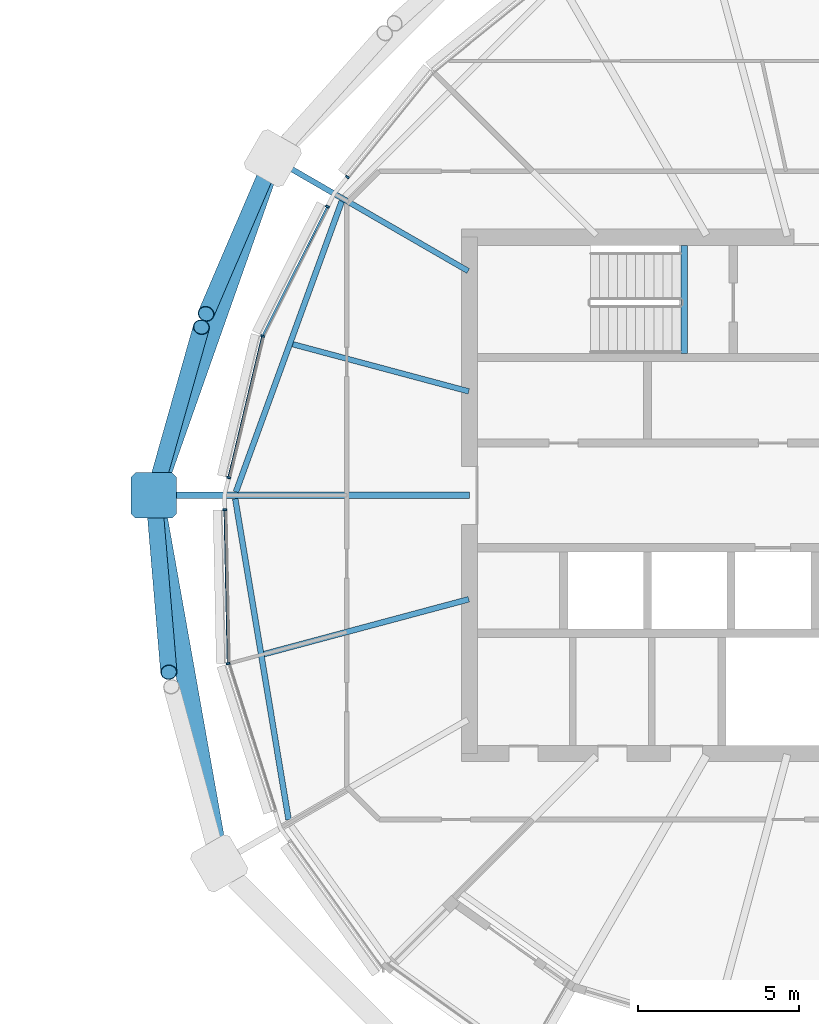
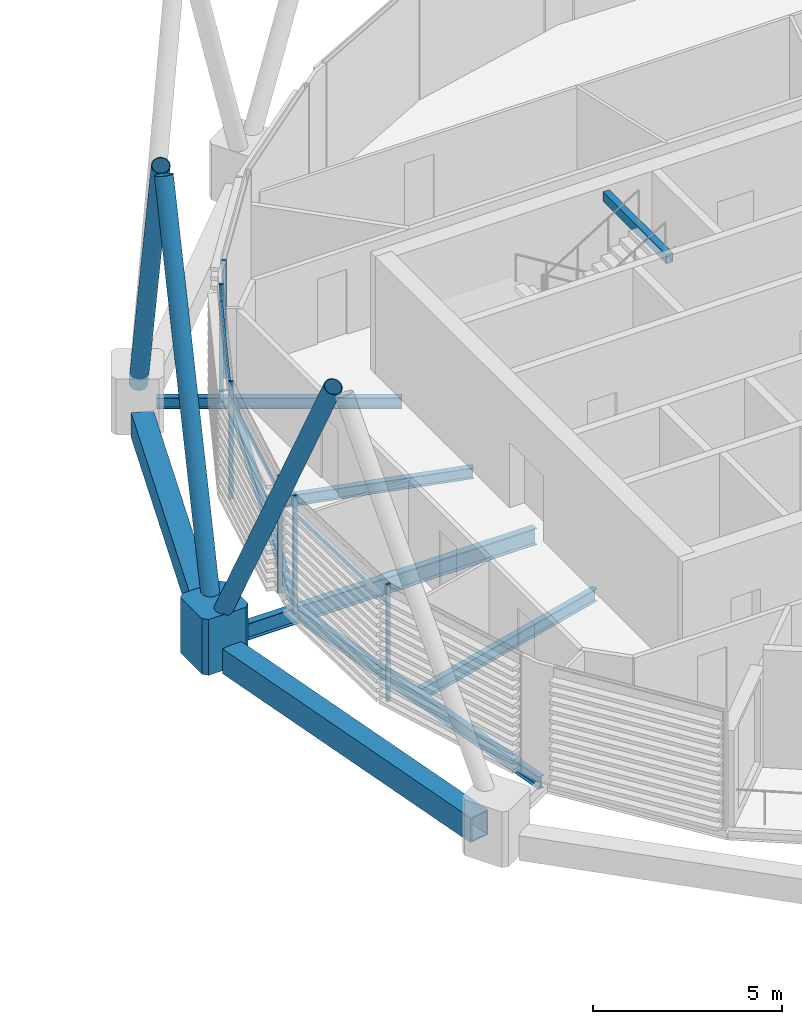
# One storey, part 13 of 34: 13 members, 9 beams, 1 element without a shape of its own.
"""IFC4 building model written with IfcOpenShell, lengths in metres."""

import ifcopenshell
import ifcopenshell.guid

model = None  # the IFC model being written
_history = None  # IfcOwnerHistory: only IFC2X3 demands one
_inside = {}  # id of a spatial element -> (the spatial element, [elements in it])
_under = {}  # id of a project, library or spatial element -> (it, [spatial elements below it])
_declared = {}  # id of a project -> (the project, [libraries it declares])
_typed = {}  # id of a type object -> (the type object, [elements of that type])
_made_of = {}  # id of a material, layer set ... -> (it, [elements and type objects made of it])


def new_model(schema):
    """Start an empty IFC model of exactly this schema.

    Asked for "IFC4X3", IfcOpenShell would pick the latest addendum, in which some entities
    have other attributes; the version numbers below select the first issue.
    IFC2X3 requires an IfcOwnerHistory on every rooted entity: one is made here for all.
    """
    global model, _history
    if schema == "IFC4X3":
        model = ifcopenshell.file(schema_version=(4, 3, 0, 0))
    else:
        model = ifcopenshell.file(schema=schema)
    _inside.clear()
    _under.clear()
    _declared.clear()
    _typed.clear()
    _made_of.clear()
    _history = None
    if model.schema == "IFC2X3":
        org = make("IfcOrganization", Name="unknown")
        user = make(
            "IfcPersonAndOrganization",
            ThePerson=make("IfcPerson", FamilyName="unknown"),
            TheOrganization=org,
        )
        app = make(
            "IfcApplication",
            ApplicationDeveloper=org,
            Version="unknown",
            ApplicationFullName="unknown",
            ApplicationIdentifier="unknown",
        )
        _history = make(
            "IfcOwnerHistory",
            OwningUser=user,
            OwningApplication=app,
            ChangeAction="ADDED",
            CreationDate=0,
        )
    return model


def make(cls, **values):
    """One entity of the class cls with the attributes given. An attribute that is None is left unset."""
    return model.create_entity(
        cls, **{name: value for name, value in values.items() if value is not None}
    )


def rooted(cls, **values):
    """An entity with a GlobalId (a new one), such as an element, a storey or a relation."""
    return make(cls, GlobalId=ifcopenshell.guid.new(), OwnerHistory=_history, **values)


def si_unit(unit_type, name, prefix=None):
    """IfcSIUnit, for example si_unit("LENGTHUNIT", "METRE", prefix="MILLI")."""
    return make("IfcSIUnit", UnitType=unit_type, Prefix=prefix, Name=name)


def assignment(units):
    """IfcUnitAssignment: the units of a project."""
    return None if units is None else make("IfcUnitAssignment", Units=units)


def point(xyz):
    """IfcCartesianPoint."""
    return None if xyz is None else make("IfcCartesianPoint", Coordinates=xyz)


def direction(xyz):
    """IfcDirection."""
    return None if xyz is None else make("IfcDirection", DirectionRatios=xyz)


def frame(location, z_axis=None, x_axis=None):
    """IfcAxis2Placement3D, a coordinate frame: its origin and axes. An axis left out is left unset."""
    return make(
        "IfcAxis2Placement3D",
        Location=point(location),
        Axis=direction(z_axis),
        RefDirection=direction(x_axis),
    )


def frame_2d(location, x_axis=None):
    """IfcAxis2Placement2D, a coordinate frame in the plane: its origin and x axis."""
    return make(
        "IfcAxis2Placement2D", Location=point(location), RefDirection=direction(x_axis)
    )


def origin():
    """The frame at (0, 0, 0) with its axes left unset."""
    return frame((0.0, 0.0, 0.0))


def origin_2d():
    """The frame at (0, 0) in the plane with its x axis left unset."""
    return frame_2d((0.0, 0.0))


def place(relative_to, where):
    """IfcLocalPlacement: puts the frame where relative to a parent placement (None: the world)."""
    return make(
        "IfcLocalPlacement", PlacementRelTo=relative_to, RelativePlacement=where
    )


def context(
    kind, dimensions, precision=None, world=None, true_north=None, identifier=None
):
    """IfcGeometricRepresentationContext, for example the 3D "Model" context."""
    return make(
        "IfcGeometricRepresentationContext",
        ContextIdentifier=identifier,
        ContextType=kind,
        CoordinateSpaceDimension=dimensions,
        Precision=precision,
        WorldCoordinateSystem=world,
        TrueNorth=true_north,
    )


def subcontext(parent, identifier, kind, view, scale=None):
    """IfcGeometricRepresentationSubContext, for example "Body" below "Model"."""
    return make(
        "IfcGeometricRepresentationSubContext",
        ContextIdentifier=identifier,
        ContextType=kind,
        ParentContext=parent,
        TargetScale=scale,
        TargetView=view,
    )


def project(units=None, contexts=None):
    """IfcProject with its units and contexts."""
    return rooted(
        "IfcProject",
        Name="project",
        RepresentationContexts=contexts,
        UnitsInContext=assignment(units),
    )


def spatial(cls, under=None, at=None, **own):
    """A site, building, storey or space (cls), placed at a placement, below another one or the project."""
    s = rooted(cls, ObjectPlacement=at, **own)
    if under is not None:
        _under.setdefault(under.id(), (under, []))[1].append(s)
    return s


def polyline(points):
    """IfcPolyline through the points."""
    return make("IfcPolyline", Points=[point(p) for p in points])


def profile(cls, at=None, kind="AREA", **sizes):
    """A parametric profile (cls). Its sizes go by their IFC names, for example OverallWidth=200.0."""
    return make(cls, ProfileType=kind, Position=at, **sizes)


def rectangle(**sizes):
    """IfcRectangleProfileDef."""
    return profile("IfcRectangleProfileDef", **sizes)


def hollow_rectangle(**sizes):
    """IfcRectangleHollowProfileDef."""
    return profile("IfcRectangleHollowProfileDef", **sizes)


def hollow_circle(**sizes):
    """IfcCircleHollowProfileDef."""
    return profile("IfcCircleHollowProfileDef", **sizes)


def i_section(**sizes):
    """IfcIShapeProfileDef."""
    return profile("IfcIShapeProfileDef", **sizes)


def outline(outer, holes=None, kind="AREA"):
    """IfcArbitraryClosedProfileDef: a profile drawn as a closed curve; with holes, ...WithVoids."""
    if holes is None:
        return make("IfcArbitraryClosedProfileDef", ProfileType=kind, OuterCurve=outer)
    return make(
        "IfcArbitraryProfileDefWithVoids",
        ProfileType=kind,
        OuterCurve=outer,
        InnerCurves=holes,
    )


def extrude(swept, where, along, depth):
    """IfcExtrudedAreaSolid: the profile swept, set in the frame where, extruded along a direction by depth."""
    return make(
        "IfcExtrudedAreaSolid",
        SweptArea=swept,
        Position=where,
        ExtrudedDirection=direction(along),
        Depth=depth,
    )


def shape(context_of_items, identifier, shape_type, items):
    """IfcShapeRepresentation: the items that make up one representation, for example the "Body"."""
    return make(
        "IfcShapeRepresentation",
        ContextOfItems=context_of_items,
        RepresentationIdentifier=identifier,
        RepresentationType=shape_type,
        Items=items,
    )


def material(Name=None, Category=None):
    """IfcMaterial."""
    return make("IfcMaterial", Name=Name, Category=Category)


def material_profile(
    of_material, cross_section, Name=None, Category=None, Priority=None
):
    """IfcMaterialProfile: a cross section and its material."""
    return make(
        "IfcMaterialProfile",
        Name=Name,
        Material=of_material,
        Profile=cross_section,
        Priority=Priority,
        Category=Category,
    )


def profile_set(profiles, Name=None, composite=None):
    """IfcMaterialProfileSet."""
    return make(
        "IfcMaterialProfileSet",
        Name=Name,
        MaterialProfiles=profiles,
        CompositeProfile=composite,
    )


def made_of(thing, what):
    """Note that an element or type object is made of a material, layer set ...; save() writes the relation."""
    if what is not None:
        _made_of.setdefault(what.id(), (what, []))[1].append(thing)
    return thing


def type_object(cls, material=None, **own):
    """A type object (cls), such as IfcWallType, which elements share."""
    return made_of(rooted(cls, **own), material)


def element(
    cls,
    number,
    at=None,
    inside=None,
    cuts=None,
    type_object=None,
    material=None,
    context=None,
    identifier="Body",
    shape_type=None,
    held_by="IfcProductDefinitionShape",
    body=None,
    shapes=None,
    **own,
):
    """One element of the class cls, such as IfcWall. Its Tag is "e" and its number.

    at: its placement. inside: the storey or other place that contains it. cuts: it is an
    opening in that element (IfcRelVoidsElement). A single representation is given by context,
    identifier, shape_type and body (its items); several are given by shapes. held_by: the class
    of the entity that holds the representations. save() writes the other relations.
    """
    e = rooted(cls, Tag="e%d" % number, ObjectPlacement=at, **own)
    if body is not None:
        shapes = [shape(context, identifier, shape_type, body)]
    if shapes is not None:
        e.Representation = make(held_by, Representations=shapes)
    if inside is not None:
        _inside.setdefault(inside.id(), (inside, []))[1].append(e)
    if cuts is not None:
        rooted(
            "IfcRelVoidsElement", RelatingBuildingElement=cuts, RelatedOpeningElement=e
        )
    if type_object is not None:
        _typed.setdefault(type_object.id(), (type_object, []))[1].append(e)
    return made_of(e, material)


def aggregate(whole, parts):
    """IfcRelAggregates: a whole, such as a stair, and the parts it consists of."""
    return rooted("IfcRelAggregates", RelatingObject=whole, RelatedObjects=parts)


def save(model, path):
    """Write the relations noted so far, then the file.

    IfcRelAggregates (storeys below a building ...), IfcRelContainedInSpatialStructure (elements
    in a storey), IfcRelDefinesByType, IfcRelAssociatesMaterial and IfcRelDeclares: one each for
    every whole, place, type object, material and project.
    """
    for whole, parts in _under.values():
        aggregate(whole, parts)
    for where, things in _inside.values():
        rooted(
            "IfcRelContainedInSpatialStructure",
            RelatedElements=things,
            RelatingStructure=where,
        )
    for kind, things in _typed.values():
        rooted("IfcRelDefinesByType", RelatedObjects=things, RelatingType=kind)
    for what, things in _made_of.values():
        rooted("IfcRelAssociatesMaterial", RelatedObjects=things, RelatingMaterial=what)
    for by, libraries in _declared.values():
        rooted("IfcRelDeclares", RelatingContext=by, RelatedDefinitions=libraries)
    model.write(path)


model = new_model("IFC4")

# Units and contexts
model_context = context("Model", 3, precision=1e-05, world=origin(), true_north=direction((0.0, 1.0)))
body_context = subcontext(model_context, "Body", "Model", "MODEL_VIEW")
ifc_project = project(units=[si_unit("LENGTHUNIT", "METRE"), si_unit("AREAUNIT", "SQUARE_METRE"), si_unit("VOLUMEUNIT", "CUBIC_METRE"), si_unit("PLANEANGLEUNIT", "RADIAN"), si_unit("MASSUNIT", "GRAM", prefix="KILO")], contexts=[model_context])

# Site, building, storey
site_placement = place(None, origin())
site = spatial("IfcSite", under=ifc_project, at=site_placement, CompositionType="ELEMENT")
building_placement = place(site_placement, origin())
building = spatial("IfcBuilding", under=site, at=building_placement, Name="Rimbun Link Towers", CompositionType="ELEMENT")
storey_placement = place(building_placement, frame((0.0, 0.0, 221.89990234375)))
storey = spatial("IfcBuildingStorey", under=building, at=storey_placement, Name="L54", CompositionType="ELEMENT", Elevation=221.89990234375)

# Curtain wall, members
ifc_material_1 = material(Name="Aluminium 6063-T6 and low-iron glass", Category="aluminium")
curtain_wall_type = type_object("IfcCurtainWallType", Name="CW1-Z4 unitised vision wall (zone 4)", PredefinedType="NOTDEFINED", material=ifc_material_1)
curtain_wall_placement = place(storey_placement, origin())
curtain_wall = element("IfcCurtainWall", 1, at=curtain_wall_placement, inside=storey, type_object=curtain_wall_type, Name="CW1 L54 T2", PredefinedType="NOTDEFINED")
ifc_material_2 = material(Name="Aluminium 6063-T6", Category="aluminium")
ifc_material_profile_1 = material_profile(ifc_material_2, rectangle(XDim=0.1201171875, YDim=0.06005859375, at=origin_2d()), Name="MULLION 60X120")
ifc_profile_set_1 = profile_set([ifc_material_profile_1], Name="Aluminium 6063-T6")
member_type_1 = type_object("IfcMemberType", Name="CW1 mullion 60X120", PredefinedType="MULLION", material=ifc_profile_set_1)
member_1_placement = place(storey_placement, frame((15.963134765625, 9.86669921875, 0.0), z_axis=(0.0, 0.0, 1.0), x_axis=(-0.777275581063, 0.629160290454, 0.0)))
member_1 = element("IfcMember", 2, at=member_1_placement, type_object=member_type_1, Name="CW1 mullion", PredefinedType="MULLION", context=body_context, shape_type="SweptSolid", body=[
    extrude(rectangle(XDim=0.1201171875, YDim=0.06005859375, at=origin_2d()), origin(), (0.0, 0.0, 1.0), 3.800048828125),
])
member_2_placement = place(storey_placement, frame((13.3330078125, 4.940185546875, 0.0), z_axis=(0.0, 0.0, 1.0), x_axis=(-0.939348465914, 0.342964224935, 0.0)))
member_2 = element("IfcMember", 3, at=member_2_placement, type_object=member_type_1, Name="CW1 mullion", PredefinedType="MULLION", context=body_context, shape_type="SweptSolid", body=[
    extrude(rectangle(XDim=0.1201171875, YDim=0.06005859375, at=origin_2d()), origin(), (0.0, 0.0, 1.0), 3.800048828125),
])
member_3_placement = place(storey_placement, frame((15.34521484375, 8.948486328125, 0.0), z_axis=(0.0, 0.0, 1.0), x_axis=(-0.893646631938, 0.448771319523, 0.0)))
member_3 = element("IfcMember", 4, at=member_3_placement, type_object=member_type_1, Name="CW1 mullion", PredefinedType="MULLION", context=body_context, shape_type="SweptSolid", body=[
    extrude(rectangle(XDim=0.1201171875, YDim=0.06005859375, at=origin_2d()), origin(), (0.0, 0.0, 1.0), 3.800048828125),
])
member_4_placement = place(storey_placement, frame((12.2822265625, 0.548828125, 0.0), z_axis=(0.0, 0.0, 1.0), x_axis=(-0.972572183777, 0.232601262555, 0.0)))
member_4 = element("IfcMember", 5, at=member_4_placement, type_object=member_type_1, Name="CW1 mullion", PredefinedType="MULLION", context=body_context, shape_type="SweptSolid", body=[
    extrude(rectangle(XDim=0.1201171875, YDim=0.06005859375, at=origin_2d()), origin(), (0.0, 0.0, 1.0), 3.800048828125),
])
member_5_placement = place(storey_placement, frame((12.26318359375, -5.21533203125, 0.0), z_axis=(0.0, 0.0, 1.0), x_axis=(-0.986503254432, -0.163741653209, 0.0)))
member_5 = element("IfcMember", 6, at=member_5_placement, type_object=member_type_1, Name="CW1 mullion", PredefinedType="MULLION", context=body_context, shape_type="SweptSolid", body=[
    extrude(rectangle(XDim=0.1201171875, YDim=0.06005859375, at=origin_2d()), origin(), (0.0, 0.0, 1.0), 3.800048828125),
])
member_6_placement = place(storey_placement, frame((12.162109375, -0.451171875, 0.0), z_axis=(0.0, 0.0, 1.0), x_axis=(-0.999778028585, -0.021068781637, 0.0)))
member_6 = element("IfcMember", 7, at=member_6_placement, type_object=member_type_1, Name="CW1 mullion", PredefinedType="MULLION", context=body_context, shape_type="SweptSolid", body=[
    extrude(rectangle(XDim=0.1201171875, YDim=0.06005859375, at=origin_2d()), origin(), (0.0, 0.0, 1.0), 3.800048828125),
])
ifc_material_3 = material(Name="Aluminium 6063-T6", Category="aluminium")
ifc_material_profile_2 = material_profile(ifc_material_3, rectangle(XDim=0.06005859375, YDim=0.1201171875, at=origin_2d()), Name="TRANSOM 60X120")
ifc_profile_set_2 = profile_set([ifc_material_profile_2], Name="Aluminium 6063-T6")
member_type_2 = type_object("IfcMemberType", Name="CW1 transom 60X120", PredefinedType="USERDEFINED", material=ifc_profile_set_2)
member_7_placement = place(storey_placement, frame((13.350830078125, 4.97265625, 3.2001953125), z_axis=(0.448804313885, 0.893630062072, 0.0), x_axis=(-0.893630062072, 0.448804313885, 0.0)))
member_7 = element("IfcMember", 8, at=member_7_placement, type_object=member_type_2, Name="CW1 transom", ObjectType="TRANSOM", PredefinedType="USERDEFINED", context=body_context, shape_type="SweptSolid", body=[
    extrude(rectangle(XDim=0.06005859375, YDim=0.1201171875, at=origin_2d()), origin(), (0.0, 0.0, 1.0), 4.418212890625),
])
member_8_placement = place(storey_placement, frame((12.291259765625, 0.57763671875, 3.2001953125), z_axis=(0.232592398774, 0.972574303605, 0.0), x_axis=(-0.972574303605, 0.232592398774, 0.0)))
member_8 = element("IfcMember", 9, at=member_8_placement, type_object=member_type_2, Name="CW1 transom", ObjectType="TRANSOM", PredefinedType="USERDEFINED", context=body_context, shape_type="SweptSolid", body=[
    extrude(rectangle(XDim=0.06005859375, YDim=0.1201171875, at=origin_2d()), origin(), (0.0, 0.0, 1.0), 4.448486328125),
])
member_9_placement = place(storey_placement, frame((12.263671875, -5.1767578125, 3.2001953125), z_axis=(-0.021052890197, 0.999778363346, 0.0), x_axis=(-0.999778363346, -0.021052890197, 0.0)))
member_9 = element("IfcMember", 10, at=member_9_placement, type_object=member_type_2, Name="CW1 transom", ObjectType="TRANSOM", PredefinedType="USERDEFINED", context=body_context, shape_type="SweptSolid", body=[
    extrude(rectangle(XDim=0.06005859375, YDim=0.1201171875, at=origin_2d()), origin(), (0.0, 0.0, 1.0), 4.696533203125),
])
aggregate(curtain_wall, [member_1, member_2, member_3, member_4, member_5, member_6, member_7, member_8, member_9])

# Members
ifc_material_4 = material(Name="Steel S355J2H", Category="steel")
ifc_material_profile_3 = material_profile(ifc_material_4, hollow_circle(Radius=0.25390625, WallThickness=0.02001953125, at=origin_2d()), Name="Diagrid diagonal CHS 508x20")
ifc_profile_set_3 = profile_set([ifc_material_profile_3], Name="Steel S355J2H")
member_type_3 = type_object("IfcMemberType", Name="Diagrid diagonal CHS 508x20", PredefinedType="BRACE", material=ifc_profile_set_3)
member_10_placement = place(storey_placement, frame((13.567138671875, 10.25, 0.450927734375), z_axis=(-0.170489253416, -0.39722108711, 0.901747648971), x_axis=(0.918934117614, -0.394411064101, 0.0)))
element("IfcMember", 11, at=member_10_placement, inside=storey, type_object=member_type_3, Name="Diagrid diagonal T2 L54-L57 07b", PredefinedType="BRACE", context=body_context, shape_type="SweptSolid", body=[
    extrude(hollow_circle(Radius=0.25390625, WallThickness=0.02001953125, at=origin_2d()), origin(), (0.0, 0.0, 1.0), 11.64208984375),
])
member_11_placement = place(storey_placement, frame((10.02294921875, 0.21337890625, 0.4482421875), z_axis=(0.120647283571, 0.426671795463, 0.896323274228), x_axis=(-0.96227036512, 0.272095101778, 0.0)))
element("IfcMember", 12, at=member_11_placement, inside=storey, type_object=member_type_3, Name="Diagrid diagonal T2 L54-L57 09a", PredefinedType="BRACE", context=body_context, shape_type="SweptSolid", body=[
    extrude(hollow_circle(Radius=0.25390625, WallThickness=0.02001953125, at=origin_2d()), origin(), (0.0, 0.0, 1.0), 11.718505859375),
])
member_12_placement = place(storey_placement, frame((9.981689453125, -0.2236328125, 0.44677734375), z_axis=(0.037912672827, -0.447415217276, 0.893522385052), x_axis=(0.996429030248, 0.084434517111, 0.0)))
element("IfcMember", 13, at=member_12_placement, inside=storey, type_object=member_type_3, Name="Diagrid diagonal T2 L54-L57 09b", PredefinedType="BRACE", context=body_context, shape_type="SweptSolid", body=[
    extrude(hollow_circle(Radius=0.25390625, WallThickness=0.02001953125, at=origin_2d()), origin(), (0.0, 0.0, 1.0), 11.758544921875),
])
ifc_material_5 = material(Name="Cast steel G20Mn5+QT, Rp0.2 300 MPa", Category="steel")
ifc_material_profile_4 = material_profile(ifc_material_5, outline(polyline([(0.699951171875, -0.570068359375), (0.699951171875, 0.570068359375), (0.570068359375, 0.699951171875), (-0.570068359375, 0.699951171875), (-0.699951171875, 0.570068359375), (-0.699951171875, -0.570068359375), (-0.570068359375, -0.699951171875), (0.570068359375, -0.699951171875), (0.699951171875, -0.570068359375)])), Name="NODE 1400x1400")
ifc_profile_set_4 = profile_set([ifc_material_profile_4], Name="Cast steel G20Mn5+QT, Rp0.2 300 MPa")
member_type_4 = type_object("IfcMemberType", Name="Diagrid node cast 1400", PredefinedType="USERDEFINED", material=ifc_profile_set_4)
member_13_placement = place(storey_placement, frame((9.962646484375, 0.0, -0.89990234375), z_axis=(0.0, 0.0, 1.0), x_axis=(-1.0, 0.0, 0.0)))
element("IfcMember", 14, at=member_13_placement, inside=storey, type_object=member_type_4, Name="Diagrid node L54 09", ObjectType="Diagrid node", PredefinedType="USERDEFINED", context=body_context, shape_type="SweptSolid", body=[
    extrude(outline(polyline([(0.699951171875, -0.570068359375), (0.699951171875, 0.570068359375), (0.570068359375, 0.699951171875), (-0.570068359375, 0.699951171875), (-0.699951171875, 0.570068359375), (-0.699951171875, -0.570068359375), (-0.570068359375, -0.699951171875), (0.570068359375, -0.699951171875), (0.699951171875, -0.570068359375)])), origin(), (0.0, 0.0, 1.0), 1.800048828125),
])

# Beams
ifc_material_6 = material(Name="Steel S355J2", Category="steel")
ifc_material_profile_5 = material_profile(ifc_material_6, hollow_rectangle(XDim=0.60009765625, YDim=0.800048828125, WallThickness=0.0400390625, at=origin_2d()), Name="Exoskeleton ring girder BOX 600x800x40")
ifc_profile_set_5 = profile_set([ifc_material_profile_5], Name="Steel S355J2")
beam_type_1 = type_object("IfcBeamType", Name="Exoskeleton ring girder BOX 600x800x40", PredefinedType="BEAM", material=ifc_profile_set_5)
beam_1_placement = place(storey_placement, frame((13.419189453125, 9.78857421875, -0.559814453125), z_axis=(-0.332966539153, -0.942938642651, 0.0), x_axis=(0.942938642651, -0.332966539153, 0.0)))
element("IfcBeam", 15, at=beam_1_placement, inside=storey, type_object=beam_type_1, Name="Exoskeleton ring girder L54 03", PredefinedType="BEAM", context=body_context, shape_type="SweptSolid", body=[
    extrude(hollow_rectangle(XDim=0.60009765625, YDim=0.800048828125, WallThickness=0.0400390625, at=origin_2d()), origin(), (0.0, 0.0, 1.0), 9.680908203125),
])
beam_2_placement = place(storey_placement, frame((10.085205078125, -0.689208984375, -0.559814453125), z_axis=(0.174843360939, -0.984596261996, 0.0), x_axis=(0.984596261996, 0.174843360939, 0.0)))
element("IfcBeam", 16, at=beam_2_placement, inside=storey, type_object=beam_type_1, Name="Exoskeleton ring girder L54 04", PredefinedType="BEAM", context=body_context, shape_type="SweptSolid", body=[
    extrude(hollow_rectangle(XDim=0.60009765625, YDim=0.800048828125, WallThickness=0.0400390625, at=origin_2d()), origin(), (0.0, 0.0, 1.0), 10.187744140625),
])
ifc_material_7 = material(Name="Steel S355J2", Category="steel")
ifc_material_profile_6 = material_profile(ifc_material_7, hollow_rectangle(XDim=0.199951171875, YDim=0.300048828125, WallThickness=0.011962890625, at=origin_2d()), Name="BOX 300x200x12")
ifc_profile_set_6 = profile_set([ifc_material_profile_6], Name="Steel S355J2")
beam_type_2 = type_object("IfcBeamType", Name="Stair trimmer beam BOX 300x200x12", PredefinedType="BEAM", material=ifc_profile_set_6)
beam_3_placement = place(storey_placement, frame((26.39990234375, 7.75, 3.510009765625), z_axis=(0.0, -1.0, 0.0), x_axis=(1.0, 0.0, 0.0)))
element("IfcBeam", 17, at=beam_3_placement, inside=storey, type_object=beam_type_2, Name="L54 ST3 stair beam 1", PredefinedType="BEAM", context=body_context, shape_type="SweptSolid", body=[
    extrude(hollow_rectangle(XDim=0.199951171875, YDim=0.300048828125, WallThickness=0.011962890625, at=origin_2d()), origin(), (0.0, 0.0, 1.0), 3.35009765625),
])
ifc_material_8 = material(Name="Steel S355J2", Category="steel")
ifc_material_profile_7 = material_profile(ifc_material_8, i_section(OverallWidth=0.17138671875, OverallDepth=0.35498046875, WebThickness=0.00732421875, FlangeThickness=0.011474609375, at=origin_2d()), Name="UB 356x171x51")
ifc_profile_set_7 = profile_set([ifc_material_profile_7], Name="Steel S355J2")
beam_type_3 = type_object("IfcBeamType", Name="UB 356x171x51", PredefinedType="BEAM", material=ifc_profile_set_7)
beam_4_placement = place(storey_placement, frame((19.706298828125, 6.95361328125, -0.3173828125), z_axis=(-0.866030864299, 0.499990541991, 0.0), x_axis=(-0.499990541991, -0.866030864299, 0.0)))
element("IfcBeam", 18, at=beam_4_placement, inside=storey, type_object=beam_type_3, Name="Radial beam T2 L54 07", PredefinedType="BEAM", context=body_context, shape_type="SweptSolid", body=[
    extrude(i_section(OverallWidth=0.17138671875, OverallDepth=0.35498046875, WebThickness=0.00732421875, FlangeThickness=0.011474609375, at=origin_2d()), origin(), (0.0, 0.0, 1.0), 6.490478515625),
])
beam_5_placement = place(storey_placement, frame((19.726806640625, 3.2216796875, -0.3173828125), z_axis=(-0.965929335285, 0.258805948998, 0.0), x_axis=(-0.258805948998, -0.965929335285, 0.0)))
element("IfcBeam", 19, at=beam_5_placement, inside=storey, type_object=beam_type_3, Name="Radial beam T2 L54 08", PredefinedType="BEAM", context=body_context, shape_type="SweptSolid", body=[
    extrude(i_section(OverallWidth=0.17138671875, OverallDepth=0.35498046875, WebThickness=0.00732421875, FlangeThickness=0.011474609375, at=origin_2d()), origin(), (0.0, 0.0, 1.0), 5.647705078125),
])
ifc_material_9 = material(Name="Steel S355J2", Category="steel")
ifc_material_profile_8 = material_profile(ifc_material_9, i_section(OverallWidth=0.177978515625, OverallDepth=0.406494140625, WebThickness=0.0078125, FlangeThickness=0.0126953125, at=origin_2d()), Name="UB 406x178x60")
ifc_profile_set_8 = profile_set([ifc_material_profile_8], Name="Steel S355J2")
beam_type_4 = type_object("IfcBeamType", Name="UB 406x178x60", PredefinedType="BEAM", material=ifc_profile_set_8)
beam_6_placement = place(storey_placement, frame((19.72607421875, -3.2216796875, -0.343017578125), z_axis=(-0.965919688064, -0.258841952185, 0.0), x_axis=(0.258841952185, -0.965919688064, 0.0)))
element("IfcBeam", 20, at=beam_6_placement, inside=storey, type_object=beam_type_4, Name="Radial beam T2 L54 10", PredefinedType="BEAM", context=body_context, shape_type="SweptSolid", body=[
    extrude(i_section(OverallWidth=0.177978515625, OverallDepth=0.406494140625, WebThickness=0.0078125, FlangeThickness=0.0126953125, at=origin_2d()), origin(), (0.0, 0.0, 1.0), 6.5703125),
])
beam_7_placement = place(storey_placement, frame((15.789794921875, 9.114501953125, -0.343017578125), z_axis=(-0.342256187227, -0.939606674255, 0.0), x_axis=(0.939606674255, -0.342256187227, 0.0)))
element("IfcBeam", 21, at=beam_7_placement, inside=storey, type_object=beam_type_4, Name="Edge beam T2 L54 07-09", PredefinedType="BEAM", context=body_context, shape_type="SweptSolid", body=[
    extrude(i_section(OverallWidth=0.177978515625, OverallDepth=0.406494140625, WebThickness=0.0078125, FlangeThickness=0.0126953125, at=origin_2d()), origin(), (0.0, 0.0, 1.0), 9.587890625),
])
beam_8_placement = place(storey_placement, frame((12.4873046875, -0.105712890625, -0.343017578125), z_axis=(0.164065333598, -0.986449474789, 0.0), x_axis=(0.986449474789, 0.164065333598, 0.0)))
element("IfcBeam", 22, at=beam_8_placement, inside=storey, type_object=beam_type_4, Name="Edge beam T2 L54 09-11", PredefinedType="BEAM", context=body_context, shape_type="SweptSolid", body=[
    extrude(i_section(OverallWidth=0.177978515625, OverallDepth=0.406494140625, WebThickness=0.0078125, FlangeThickness=0.0126953125, at=origin_2d()), origin(), (0.0, 0.0, 1.0), 10.086181640625),
])
ifc_material_10 = material(Name="Steel S355J2", Category="steel")
ifc_material_profile_9 = material_profile(ifc_material_10, i_section(OverallWidth=0.209228515625, OverallDepth=0.533203125, WebThickness=0.010009765625, FlangeThickness=0.015625, at=origin_2d()), Name="UB 533x210x92")
ifc_profile_set_9 = profile_set([ifc_material_profile_9], Name="Steel S355J2")
beam_type_5 = type_object("IfcBeamType", Name="UB 533x210x92", PredefinedType="BEAM", material=ifc_profile_set_9)
beam_9_placement = place(storey_placement, frame((19.7490234375, 0.0, -0.406494140625), z_axis=(-1.0, 0.0, 0.0), x_axis=(0.0, -1.0, 0.0)))
element("IfcBeam", 23, at=beam_9_placement, inside=storey, type_object=beam_type_5, Name="Radial beam T2 L54 09", PredefinedType="BEAM", context=body_context, shape_type="SweptSolid", body=[
    extrude(i_section(OverallWidth=0.209228515625, OverallDepth=0.533203125, WebThickness=0.010009765625, FlangeThickness=0.015625, at=origin_2d()), origin(), (0.0, 0.0, 1.0), 9.286376953125),
])

save(model, "model.ifc")
